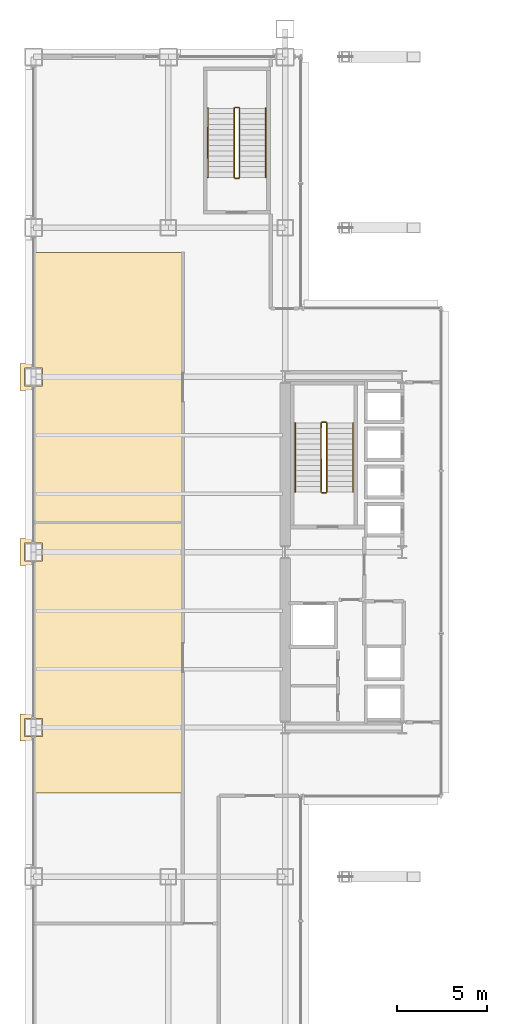
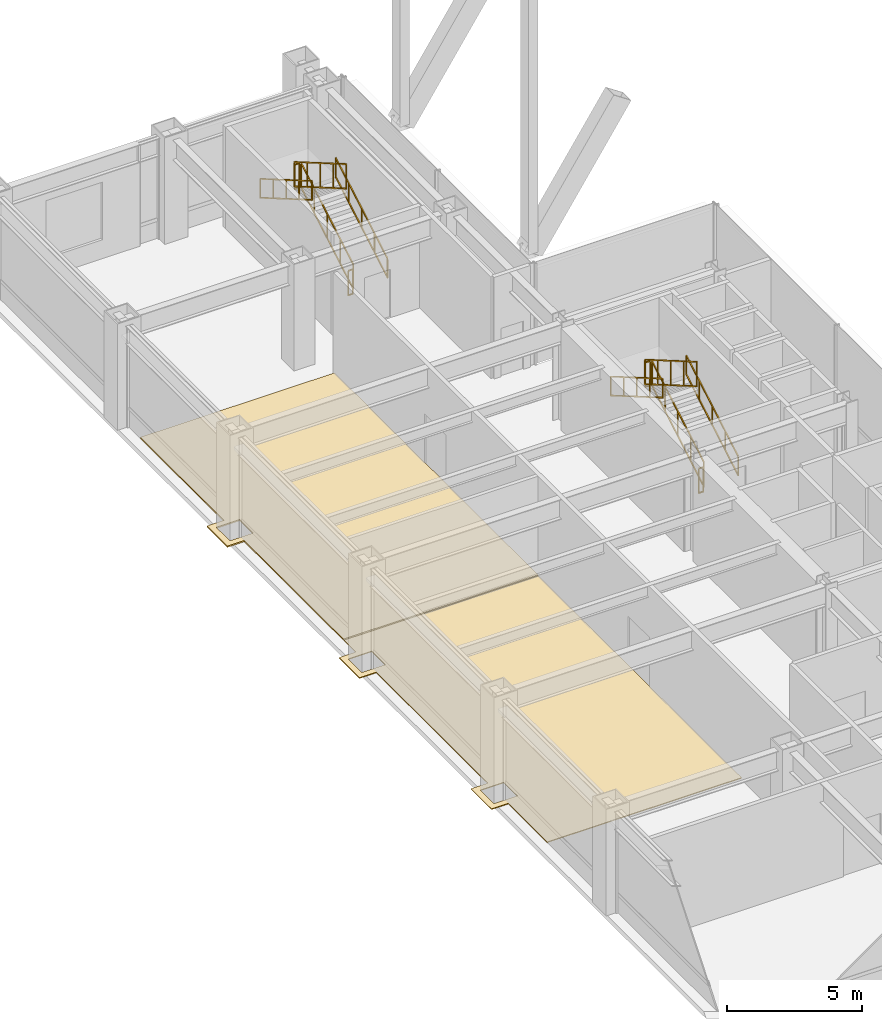
# One storey, part 39 of 40: 12 railings, 2 coverings.
"""IFC4 building model written with IfcOpenShell, lengths in metres."""

import ifcopenshell
import ifcopenshell.guid

model = None  # the IFC model being written
_history = None  # IfcOwnerHistory: only IFC2X3 demands one
_inside = {}  # id of a spatial element -> (the spatial element, [elements in it])
_under = {}  # id of a project, library or spatial element -> (it, [spatial elements below it])
_declared = {}  # id of a project -> (the project, [libraries it declares])
_typed = {}  # id of a type object -> (the type object, [elements of that type])
_made_of = {}  # id of a material, layer set ... -> (it, [elements and type objects made of it])


def new_model(schema):
    """Start an empty IFC model of exactly this schema.

    Asked for "IFC4X3", IfcOpenShell would pick the latest addendum, in which some entities
    have other attributes; the version numbers below select the first issue.
    IFC2X3 requires an IfcOwnerHistory on every rooted entity: one is made here for all.
    """
    global model, _history
    if schema == "IFC4X3":
        model = ifcopenshell.file(schema_version=(4, 3, 0, 0))
    else:
        model = ifcopenshell.file(schema=schema)
    _inside.clear()
    _under.clear()
    _declared.clear()
    _typed.clear()
    _made_of.clear()
    _history = None
    if model.schema == "IFC2X3":
        org = make("IfcOrganization", Name="unknown")
        user = make(
            "IfcPersonAndOrganization",
            ThePerson=make("IfcPerson", FamilyName="unknown"),
            TheOrganization=org,
        )
        app = make(
            "IfcApplication",
            ApplicationDeveloper=org,
            Version="unknown",
            ApplicationFullName="unknown",
            ApplicationIdentifier="unknown",
        )
        _history = make(
            "IfcOwnerHistory",
            OwningUser=user,
            OwningApplication=app,
            ChangeAction="ADDED",
            CreationDate=0,
        )
    return model


def make(cls, **values):
    """One entity of the class cls with the attributes given. An attribute that is None is left unset."""
    return model.create_entity(
        cls, **{name: value for name, value in values.items() if value is not None}
    )


def rooted(cls, **values):
    """An entity with a GlobalId (a new one), such as an element, a storey or a relation."""
    return make(cls, GlobalId=ifcopenshell.guid.new(), OwnerHistory=_history, **values)


def si_unit(unit_type, name, prefix=None):
    """IfcSIUnit, for example si_unit("LENGTHUNIT", "METRE", prefix="MILLI")."""
    return make("IfcSIUnit", UnitType=unit_type, Prefix=prefix, Name=name)


def assignment(units):
    """IfcUnitAssignment: the units of a project."""
    return None if units is None else make("IfcUnitAssignment", Units=units)


def point(xyz):
    """IfcCartesianPoint."""
    return None if xyz is None else make("IfcCartesianPoint", Coordinates=xyz)


def direction(xyz):
    """IfcDirection."""
    return None if xyz is None else make("IfcDirection", DirectionRatios=xyz)


def frame(location, z_axis=None, x_axis=None):
    """IfcAxis2Placement3D, a coordinate frame: its origin and axes. An axis left out is left unset."""
    return make(
        "IfcAxis2Placement3D",
        Location=point(location),
        Axis=direction(z_axis),
        RefDirection=direction(x_axis),
    )


def frame_2d(location, x_axis=None):
    """IfcAxis2Placement2D, a coordinate frame in the plane: its origin and x axis."""
    return make(
        "IfcAxis2Placement2D", Location=point(location), RefDirection=direction(x_axis)
    )


def origin():
    """The frame at (0, 0, 0) with its axes left unset."""
    return frame((0.0, 0.0, 0.0))


def origin_2d():
    """The frame at (0, 0) in the plane with its x axis left unset."""
    return frame_2d((0.0, 0.0))


def place(relative_to, where):
    """IfcLocalPlacement: puts the frame where relative to a parent placement (None: the world)."""
    return make(
        "IfcLocalPlacement", PlacementRelTo=relative_to, RelativePlacement=where
    )


def context(
    kind, dimensions, precision=None, world=None, true_north=None, identifier=None
):
    """IfcGeometricRepresentationContext, for example the 3D "Model" context."""
    return make(
        "IfcGeometricRepresentationContext",
        ContextIdentifier=identifier,
        ContextType=kind,
        CoordinateSpaceDimension=dimensions,
        Precision=precision,
        WorldCoordinateSystem=world,
        TrueNorth=true_north,
    )


def subcontext(parent, identifier, kind, view, scale=None):
    """IfcGeometricRepresentationSubContext, for example "Body" below "Model"."""
    return make(
        "IfcGeometricRepresentationSubContext",
        ContextIdentifier=identifier,
        ContextType=kind,
        ParentContext=parent,
        TargetScale=scale,
        TargetView=view,
    )


def project(units=None, contexts=None):
    """IfcProject with its units and contexts."""
    return rooted(
        "IfcProject",
        Name="project",
        RepresentationContexts=contexts,
        UnitsInContext=assignment(units),
    )


def spatial(cls, under=None, at=None, **own):
    """A site, building, storey or space (cls), placed at a placement, below another one or the project."""
    s = rooted(cls, ObjectPlacement=at, **own)
    if under is not None:
        _under.setdefault(under.id(), (under, []))[1].append(s)
    return s


def polyline(points):
    """IfcPolyline through the points."""
    return make("IfcPolyline", Points=[point(p) for p in points])


def profile(cls, at=None, kind="AREA", **sizes):
    """A parametric profile (cls). Its sizes go by their IFC names, for example OverallWidth=200.0."""
    return make(cls, ProfileType=kind, Position=at, **sizes)


def rectangle(**sizes):
    """IfcRectangleProfileDef."""
    return profile("IfcRectangleProfileDef", **sizes)


def outline(outer, holes=None, kind="AREA"):
    """IfcArbitraryClosedProfileDef: a profile drawn as a closed curve; with holes, ...WithVoids."""
    if holes is None:
        return make("IfcArbitraryClosedProfileDef", ProfileType=kind, OuterCurve=outer)
    return make(
        "IfcArbitraryProfileDefWithVoids",
        ProfileType=kind,
        OuterCurve=outer,
        InnerCurves=holes,
    )


def extrude(swept, where, along, depth):
    """IfcExtrudedAreaSolid: the profile swept, set in the frame where, extruded along a direction by depth."""
    return make(
        "IfcExtrudedAreaSolid",
        SweptArea=swept,
        Position=where,
        ExtrudedDirection=direction(along),
        Depth=depth,
    )


def shape(context_of_items, identifier, shape_type, items):
    """IfcShapeRepresentation: the items that make up one representation, for example the "Body"."""
    return make(
        "IfcShapeRepresentation",
        ContextOfItems=context_of_items,
        RepresentationIdentifier=identifier,
        RepresentationType=shape_type,
        Items=items,
    )


def material(Name=None, Category=None):
    """IfcMaterial."""
    return make("IfcMaterial", Name=Name, Category=Category)


def layer(
    of_material, thickness, ventilated=None, Name=None, Category=None, Priority=None
):
    """IfcMaterialLayer: one layer of a wall or slab, of a material (None: an air gap)."""
    return make(
        "IfcMaterialLayer",
        Material=of_material,
        LayerThickness=thickness,
        IsVentilated=ventilated,
        Name=Name,
        Category=Category,
        Priority=Priority,
    )


def layer_set(layers, Name=None):
    """IfcMaterialLayerSet."""
    return make("IfcMaterialLayerSet", MaterialLayers=layers, LayerSetName=Name)


def made_of(thing, what):
    """Note that an element or type object is made of a material, layer set ...; save() writes the relation."""
    if what is not None:
        _made_of.setdefault(what.id(), (what, []))[1].append(thing)
    return thing


def type_object(cls, material=None, **own):
    """A type object (cls), such as IfcWallType, which elements share."""
    return made_of(rooted(cls, **own), material)


def element(
    cls,
    number,
    at=None,
    inside=None,
    cuts=None,
    type_object=None,
    material=None,
    context=None,
    identifier="Body",
    shape_type=None,
    held_by="IfcProductDefinitionShape",
    body=None,
    shapes=None,
    **own,
):
    """One element of the class cls, such as IfcWall. Its Tag is "e" and its number.

    at: its placement. inside: the storey or other place that contains it. cuts: it is an
    opening in that element (IfcRelVoidsElement). A single representation is given by context,
    identifier, shape_type and body (its items); several are given by shapes. held_by: the class
    of the entity that holds the representations. save() writes the other relations.
    """
    e = rooted(cls, Tag="e%d" % number, ObjectPlacement=at, **own)
    if body is not None:
        shapes = [shape(context, identifier, shape_type, body)]
    if shapes is not None:
        e.Representation = make(held_by, Representations=shapes)
    if inside is not None:
        _inside.setdefault(inside.id(), (inside, []))[1].append(e)
    if cuts is not None:
        rooted(
            "IfcRelVoidsElement", RelatingBuildingElement=cuts, RelatedOpeningElement=e
        )
    if type_object is not None:
        _typed.setdefault(type_object.id(), (type_object, []))[1].append(e)
    return made_of(e, material)


def aggregate(whole, parts):
    """IfcRelAggregates: a whole, such as a stair, and the parts it consists of."""
    return rooted("IfcRelAggregates", RelatingObject=whole, RelatedObjects=parts)


def save(model, path):
    """Write the relations noted so far, then the file.

    IfcRelAggregates (storeys below a building ...), IfcRelContainedInSpatialStructure (elements
    in a storey), IfcRelDefinesByType, IfcRelAssociatesMaterial and IfcRelDeclares: one each for
    every whole, place, type object, material and project.
    """
    for whole, parts in _under.values():
        aggregate(whole, parts)
    for where, things in _inside.values():
        rooted(
            "IfcRelContainedInSpatialStructure",
            RelatedElements=things,
            RelatingStructure=where,
        )
    for kind, things in _typed.values():
        rooted("IfcRelDefinesByType", RelatedObjects=things, RelatingType=kind)
    for what, things in _made_of.values():
        rooted("IfcRelAssociatesMaterial", RelatedObjects=things, RelatingMaterial=what)
    for by, libraries in _declared.values():
        rooted("IfcRelDeclares", RelatingContext=by, RelatedDefinitions=libraries)
    model.write(path)


model = new_model("IFC4")

# Units and contexts
model_context = context("Model", 3, precision=1e-05, world=origin(), true_north=direction((0.0, 1.0)))
body_context = subcontext(model_context, "Body", "Model", "MODEL_VIEW")
ifc_project = project(units=[si_unit("LENGTHUNIT", "METRE"), si_unit("AREAUNIT", "SQUARE_METRE"), si_unit("VOLUMEUNIT", "CUBIC_METRE"), si_unit("PLANEANGLEUNIT", "RADIAN"), si_unit("MASSUNIT", "GRAM", prefix="KILO")], contexts=[model_context])

# Site, building, storey
site_placement = place(None, origin())
site = spatial("IfcSite", under=ifc_project, at=site_placement, CompositionType="ELEMENT")
building_placement = place(site_placement, origin())
building = spatial("IfcBuilding", under=site, at=building_placement, Name="Brelmoor Portico Tower", CompositionType="ELEMENT")
storey_placement = place(building_placement, frame((0.0, 0.0, 4.800048828125)))
storey = spatial("IfcBuildingStorey", under=building, at=storey_placement, Name="L01", CompositionType="ELEMENT", Elevation=4.800048828125)

# Coverings
ifc_material_1 = material(Name="Calcium-Sulphate Raised Access Floor Panel", Category="steel")
ifc_layer_1 = layer(ifc_material_1, 0.06005859375)
ifc_layer_set_1 = layer_set([ifc_layer_1], Name="Calcium-Sulphate Raised Access Floor Panel")
covering_type_1 = type_object("IfcCoveringType", Name="CV-FLR-ACCESS-60", PredefinedType="FLOORING", material=ifc_layer_set_1)
covering_1_placement = place(storey_placement, origin())
element("IfcCovering", 1, at=covering_1_placement, inside=storey, type_object=covering_type_1, Name="L01 Architectural Floor Finish 02", PredefinedType="FLOORING", context=body_context, shape_type="SweptSolid", body=[
    extrude(outline(polyline([(-28.580078125, 9.0), (-29.300048828125, 9.0), (-29.300048828125, 10.5), (-28.580078125, 10.5), (-28.580078125, 16.679931640625), (-20.2900390625, 16.679931640625), (-20.2900390625, 1.669921875), (-28.580078125, 1.669921875), (-28.580078125, 9.0)]), holes=[polyline([(-29.050048828125, 9.25), (-28.050048828125, 9.25), (-28.050048828125, 10.25), (-29.050048828125, 10.25), (-29.050048828125, 9.25)])]), origin(), (0.0, 0.0, 1.0), 0.06005859375),
])
ifc_material_2 = material(Name="Honed Pearl-Grey Granite Paver Finish", Category="masonry")
ifc_layer_2 = layer(ifc_material_2, 0.0380859375)
ifc_layer_set_2 = layer_set([ifc_layer_2], Name="Honed Pearl-Grey Granite Paver Finish")
covering_type_2 = type_object("IfcCoveringType", Name="CV-FLR-GRANITE-38", PredefinedType="FLOORING", material=ifc_layer_set_2)
covering_2_placement = place(storey_placement, origin())
element("IfcCovering", 2, at=covering_2_placement, inside=storey, type_object=covering_type_2, Name="L01 Architectural Floor Finish 01", PredefinedType="FLOORING", context=body_context, shape_type="SweptSolid", body=[
    extrude(outline(polyline([(-29.300048828125, -9.0), (-28.580078125, -9.0), (-28.580078125, -0.75), (-29.300048828125, -0.75), (-29.300048828125, 0.75), (-28.580078125, 0.75), (-28.580078125, 1.6298828125), (-20.2900390625, 1.6298828125), (-20.2900390625, -13.3798828125), (-28.580078125, -13.3798828125), (-28.580078125, -10.5), (-29.300048828125, -10.5), (-29.300048828125, -9.0)]), holes=[polyline([(-29.050048828125, -10.25), (-28.050048828125, -10.25), (-28.050048828125, -9.25), (-29.050048828125, -9.25), (-29.050048828125, -10.25)]), polyline([(-28.050048828125, -0.5), (-28.050048828125, 0.5), (-29.050048828125, 0.5), (-29.050048828125, -0.5), (-28.050048828125, -0.5)])]), origin(), (0.0, 0.0, 1.0), 0.037841796875),
])

# Railings
ifc_material_3 = material(Name="Painted Tubular Steel Q235B", Category="steel")
railing_type_1 = type_object("IfcRailingType", Name="RL-STAIR-GUARD", PredefinedType="GUARDRAIL", material=ifc_material_3)
railing_1_placement = place(storey_placement, frame((-12.239990234375, 3.35009765625, 0.17138671875)))
element("IfcRailing", 3, at=railing_1_placement, inside=storey, type_object=railing_type_1, Name="L01 ST-W stair guard 1", PredefinedType="GUARDRAIL", context=body_context, shape_type="SweptSolid", body=[
    extrude(rectangle(XDim=0.048095703125, YDim=0.048095703125, at=origin_2d()), frame((0.0, 0.0, 1.1259765625), z_axis=(0.0, 0.86461618451, 0.502432934314), x_axis=(-1.0, 0.0, 0.0)), (0.0, 0.0, 1.0), 4.435546875),
    extrude(rectangle(XDim=0.048095703125, YDim=0.048095703125, at=origin_2d()), frame((0.0, 0.0, 0.02392578125), z_axis=(0.0, 0.86461618451, 0.502432934314), x_axis=(-1.0, 0.0, 0.0)), (0.0, 0.0, 1.0), 4.435546875),
    extrude(rectangle(XDim=0.0419921875, YDim=0.0419921875, at=origin_2d()), origin(), (0.0, 0.0, 1.0), 1.101806640625),
    extrude(rectangle(XDim=0.0419921875, YDim=0.0419921875, at=origin_2d()), frame((0.0, 0.958740234375, 0.55712890625)), (0.0, 0.0, 1.0), 1.101806640625),
    extrude(rectangle(XDim=0.0419921875, YDim=0.0419921875, at=origin_2d()), frame((0.0, 1.91748046875, 1.1142578125)), (0.0, 0.0, 1.0), 1.101806640625),
    extrude(rectangle(XDim=0.0419921875, YDim=0.0419921875, at=origin_2d()), frame((0.0, 2.876220703125, 1.67138671875)), (0.0, 0.0, 1.0), 1.101806640625),
    extrude(rectangle(XDim=0.0419921875, YDim=0.0419921875, at=origin_2d()), frame((0.0, 3.8349609375, 2.228515625)), (0.0, 0.0, 1.0), 1.101806640625),
])
railing_2_placement = place(storey_placement, frame((-12.2900390625, 7.235107421875, 2.39990234375)))
element("IfcRailing", 4, at=railing_2_placement, inside=storey, type_object=railing_type_1, Name="L01 ST-W stair guard 2", PredefinedType="GUARDRAIL", context=body_context, shape_type="SweptSolid", body=[
    extrude(rectangle(XDim=0.048095703125, YDim=0.048095703125, at=origin_2d()), frame((0.0, 0.0, 1.1259765625), z_axis=(-1.0, 0.0, 0.0), x_axis=(0.0, -1.0, 0.0)), (0.0, 0.0, 1.0), 0.199951171875),
    extrude(rectangle(XDim=0.048095703125, YDim=0.048095703125, at=origin_2d()), frame((0.0, 0.0, 0.02392578125), z_axis=(-1.0, 0.0, 0.0), x_axis=(0.0, -1.0, 0.0)), (0.0, 0.0, 1.0), 0.199951171875),
    extrude(rectangle(XDim=0.0419921875, YDim=0.0419921875, at=origin_2d()), origin(), (0.0, 0.0, 1.0), 1.101806640625),
    extrude(rectangle(XDim=0.0419921875, YDim=0.0419921875, at=origin_2d()), frame((-0.199951171875, 0.0, 0.0)), (0.0, 0.0, 1.0), 1.101806640625),
])
railing_3_placement = place(storey_placement, frame((-12.5400390625, 7.18505859375, 2.5712890625)))
element("IfcRailing", 5, at=railing_3_placement, inside=storey, type_object=railing_type_1, Name="L01 ST-W stair guard 3", PredefinedType="GUARDRAIL", context=body_context, shape_type="SweptSolid", body=[
    extrude(rectangle(XDim=0.048095703125, YDim=0.048095703125, at=origin_2d()), frame((0.0, 0.0, 1.1259765625), z_axis=(0.0, -0.864592272851, 0.502474080651), x_axis=(1.0, 0.0, 0.0)), (0.0, 0.0, 1.0), 4.435546875),
    extrude(rectangle(XDim=0.048095703125, YDim=0.048095703125, at=origin_2d()), frame((0.0, 0.0, 0.02392578125), z_axis=(0.0, -0.864592272851, 0.502474080651), x_axis=(1.0, 0.0, 0.0)), (0.0, 0.0, 1.0), 4.435546875),
    extrude(rectangle(XDim=0.0419921875, YDim=0.0419921875, at=origin_2d()), origin(), (0.0, 0.0, 1.0), 1.101806640625),
    extrude(rectangle(XDim=0.0419921875, YDim=0.0419921875, at=origin_2d()), frame((0.0, -0.958740234375, 0.55712890625)), (0.0, 0.0, 1.0), 1.101806640625),
    extrude(rectangle(XDim=0.0419921875, YDim=0.0419921875, at=origin_2d()), frame((0.0, -1.91748046875, 1.1142578125)), (0.0, 0.0, 1.0), 1.101806640625),
    extrude(rectangle(XDim=0.0419921875, YDim=0.0419921875, at=origin_2d()), frame((0.0, -2.876220703125, 1.671630859375)), (0.0, 0.0, 1.0), 1.101806640625),
    extrude(rectangle(XDim=0.0419921875, YDim=0.0419921875, at=origin_2d()), frame((0.0, -3.8349609375, 2.228759765625)), (0.0, 0.0, 1.0), 1.101806640625),
])
railing_4_placement = place(storey_placement, frame((-12.2900390625, 3.300048828125, 0.0)))
element("IfcRailing", 6, at=railing_4_placement, inside=storey, type_object=railing_type_1, Name="L01 ST-W stair guard 4", PredefinedType="GUARDRAIL", context=body_context, shape_type="SweptSolid", body=[
    extrude(rectangle(XDim=0.048095703125, YDim=0.048095703125, at=origin_2d()), frame((0.0, 0.0, 1.1259765625), z_axis=(-1.0, 0.0, 0.0), x_axis=(0.0, -1.0, 0.0)), (0.0, 0.0, 1.0), 0.199951171875),
    extrude(rectangle(XDim=0.048095703125, YDim=0.048095703125, at=origin_2d()), frame((0.0, 0.0, 0.02392578125), z_axis=(-1.0, 0.0, 0.0), x_axis=(0.0, -1.0, 0.0)), (0.0, 0.0, 1.0), 0.199951171875),
    extrude(rectangle(XDim=0.0419921875, YDim=0.0419921875, at=origin_2d()), origin(), (0.0, 0.0, 1.0), 1.101806640625),
    extrude(rectangle(XDim=0.0419921875, YDim=0.0419921875, at=origin_2d()), frame((-0.199951171875, 0.0, 0.0)), (0.0, 0.0, 1.0), 1.101806640625),
])
railing_5_placement = place(storey_placement, frame((-17.090087890625, 20.85009765625, 0.17138671875)))
element("IfcRailing", 7, at=railing_5_placement, inside=storey, type_object=railing_type_1, Name="L01 ST-P1 stair guard 1", PredefinedType="GUARDRAIL", context=body_context, shape_type="SweptSolid", body=[
    extrude(rectangle(XDim=0.048095703125, YDim=0.048095703125, at=origin_2d()), frame((0.0, 0.0, 1.1259765625), z_axis=(0.0, 0.86461618451, 0.502432934314), x_axis=(-1.0, 0.0, 0.0)), (0.0, 0.0, 1.0), 4.435546875),
    extrude(rectangle(XDim=0.048095703125, YDim=0.048095703125, at=origin_2d()), frame((0.0, 0.0, 0.02392578125), z_axis=(0.0, 0.86461618451, 0.502432934314), x_axis=(-1.0, 0.0, 0.0)), (0.0, 0.0, 1.0), 4.435546875),
    extrude(rectangle(XDim=0.0419921875, YDim=0.0419921875, at=origin_2d()), origin(), (0.0, 0.0, 1.0), 1.101806640625),
    extrude(rectangle(XDim=0.0419921875, YDim=0.0419921875, at=origin_2d()), frame((0.0, 0.958740234375, 0.55712890625)), (0.0, 0.0, 1.0), 1.101806640625),
    extrude(rectangle(XDim=0.0419921875, YDim=0.0419921875, at=origin_2d()), frame((0.0, 1.91748046875, 1.1142578125)), (0.0, 0.0, 1.0), 1.101806640625),
    extrude(rectangle(XDim=0.0419921875, YDim=0.0419921875, at=origin_2d()), frame((0.0, 2.876220703125, 1.67138671875)), (0.0, 0.0, 1.0), 1.101806640625),
    extrude(rectangle(XDim=0.0419921875, YDim=0.0419921875, at=origin_2d()), frame((0.0, 3.8349609375, 2.228515625)), (0.0, 0.0, 1.0), 1.101806640625),
])
railing_6_placement = place(storey_placement, frame((-17.139892578125, 24.735107421875, 2.39990234375)))
element("IfcRailing", 8, at=railing_6_placement, inside=storey, type_object=railing_type_1, Name="L01 ST-P1 stair guard 2", PredefinedType="GUARDRAIL", context=body_context, shape_type="SweptSolid", body=[
    extrude(rectangle(XDim=0.048095703125, YDim=0.048095703125, at=origin_2d()), frame((0.0, 0.0, 1.1259765625), z_axis=(-1.0, 0.0, 0.0), x_axis=(0.0, -1.0, 0.0)), (0.0, 0.0, 1.0), 0.2001953125),
    extrude(rectangle(XDim=0.048095703125, YDim=0.048095703125, at=origin_2d()), frame((0.0, 0.0, 0.02392578125), z_axis=(-1.0, 0.0, 0.0), x_axis=(0.0, -1.0, 0.0)), (0.0, 0.0, 1.0), 0.2001953125),
    extrude(rectangle(XDim=0.0419921875, YDim=0.0419921875, at=origin_2d()), origin(), (0.0, 0.0, 1.0), 1.101806640625),
    extrude(rectangle(XDim=0.0419921875, YDim=0.0419921875, at=origin_2d()), frame((-0.2001953125, 0.0, 0.0)), (0.0, 0.0, 1.0), 1.101806640625),
])
railing_7_placement = place(storey_placement, frame((-17.389892578125, 24.68505859375, 2.5712890625)))
element("IfcRailing", 9, at=railing_7_placement, inside=storey, type_object=railing_type_1, Name="L01 ST-P1 stair guard 3", PredefinedType="GUARDRAIL", context=body_context, shape_type="SweptSolid", body=[
    extrude(rectangle(XDim=0.048095703125, YDim=0.048095703125, at=origin_2d()), frame((0.0, 0.0, 1.1259765625), z_axis=(0.0, -0.864592272851, 0.502474080651), x_axis=(1.0, 0.0, 0.0)), (0.0, 0.0, 1.0), 4.435546875),
    extrude(rectangle(XDim=0.048095703125, YDim=0.048095703125, at=origin_2d()), frame((0.0, 0.0, 0.02392578125), z_axis=(0.0, -0.864592272851, 0.502474080651), x_axis=(1.0, 0.0, 0.0)), (0.0, 0.0, 1.0), 4.435546875),
    extrude(rectangle(XDim=0.0419921875, YDim=0.0419921875, at=origin_2d()), origin(), (0.0, 0.0, 1.0), 1.101806640625),
    extrude(rectangle(XDim=0.0419921875, YDim=0.0419921875, at=origin_2d()), frame((0.0, -0.958740234375, 0.55712890625)), (0.0, 0.0, 1.0), 1.101806640625),
    extrude(rectangle(XDim=0.0419921875, YDim=0.0419921875, at=origin_2d()), frame((0.0, -1.91748046875, 1.1142578125)), (0.0, 0.0, 1.0), 1.101806640625),
    extrude(rectangle(XDim=0.0419921875, YDim=0.0419921875, at=origin_2d()), frame((0.0, -2.876220703125, 1.671630859375)), (0.0, 0.0, 1.0), 1.101806640625),
    extrude(rectangle(XDim=0.0419921875, YDim=0.0419921875, at=origin_2d()), frame((0.0, -3.8349609375, 2.228759765625)), (0.0, 0.0, 1.0), 1.101806640625),
])
railing_8_placement = place(storey_placement, frame((-17.139892578125, 20.800048828125, 0.0)))
element("IfcRailing", 10, at=railing_8_placement, inside=storey, type_object=railing_type_1, Name="L01 ST-P1 stair guard 4", PredefinedType="GUARDRAIL", context=body_context, shape_type="SweptSolid", body=[
    extrude(rectangle(XDim=0.048095703125, YDim=0.048095703125, at=origin_2d()), frame((0.0, 0.0, 1.1259765625), z_axis=(-1.0, 0.0, 0.0), x_axis=(0.0, -1.0, 0.0)), (0.0, 0.0, 1.0), 0.2001953125),
    extrude(rectangle(XDim=0.048095703125, YDim=0.048095703125, at=origin_2d()), frame((0.0, 0.0, 0.02392578125), z_axis=(-1.0, 0.0, 0.0), x_axis=(0.0, -1.0, 0.0)), (0.0, 0.0, 1.0), 0.2001953125),
    extrude(rectangle(XDim=0.0419921875, YDim=0.0419921875, at=origin_2d()), origin(), (0.0, 0.0, 1.0), 1.101806640625),
    extrude(rectangle(XDim=0.0419921875, YDim=0.0419921875, at=origin_2d()), frame((-0.2001953125, 0.0, 0.0)), (0.0, 0.0, 1.0), 1.101806640625),
])
ifc_material_4 = material(Name="Brushed Stainless Steel 304", Category="steel")
railing_type_2 = type_object("IfcRailingType", Name="RL-STAIR-HANDRAIL", PredefinedType="HANDRAIL", material=ifc_material_4)
railing_9_placement = place(storey_placement, frame((-10.780029296875, 3.35009765625, 0.17138671875)))
element("IfcRailing", 11, at=railing_9_placement, inside=storey, type_object=railing_type_2, Name="L01 ST-W stair handrail 1", PredefinedType="HANDRAIL", context=body_context, shape_type="SweptSolid", body=[
    extrude(rectangle(XDim=0.048095703125, YDim=0.048095703125, at=origin_2d()), frame((0.0, 0.0, 0.8759765625), z_axis=(0.0, 0.86461618451, 0.502432934314), x_axis=(-1.0, 0.0, 0.0)), (0.0, 0.0, 1.0), 4.435546875),
    extrude(rectangle(XDim=0.048095703125, YDim=0.048095703125, at=origin_2d()), frame((0.0, 0.0, 0.02392578125), z_axis=(0.0, 0.86461618451, 0.502432934314), x_axis=(-1.0, 0.0, 0.0)), (0.0, 0.0, 1.0), 4.435546875),
    extrude(rectangle(XDim=0.0419921875, YDim=0.0419921875, at=origin_2d()), origin(), (0.0, 0.0, 1.0), 0.851806640625),
    extrude(rectangle(XDim=0.0419921875, YDim=0.0419921875, at=origin_2d()), frame((0.0, 0.958740234375, 0.55712890625)), (0.0, 0.0, 1.0), 0.851806640625),
    extrude(rectangle(XDim=0.0419921875, YDim=0.0419921875, at=origin_2d()), frame((0.0, 1.91748046875, 1.1142578125)), (0.0, 0.0, 1.0), 0.851806640625),
    extrude(rectangle(XDim=0.0419921875, YDim=0.0419921875, at=origin_2d()), frame((0.0, 2.876220703125, 1.67138671875)), (0.0, 0.0, 1.0), 0.851806640625),
    extrude(rectangle(XDim=0.0419921875, YDim=0.0419921875, at=origin_2d()), frame((0.0, 3.8349609375, 2.228515625)), (0.0, 0.0, 1.0), 0.851806640625),
])
railing_10_placement = place(storey_placement, frame((-14.0, 7.18505859375, 2.5712890625)))
element("IfcRailing", 12, at=railing_10_placement, inside=storey, type_object=railing_type_2, Name="L01 ST-W stair handrail 2", PredefinedType="HANDRAIL", context=body_context, shape_type="SweptSolid", body=[
    extrude(rectangle(XDim=0.048095703125, YDim=0.048095703125, at=origin_2d()), frame((0.0, 0.0, 0.8759765625), z_axis=(0.0, -0.864592272851, 0.502474080651), x_axis=(1.0, 0.0, 0.0)), (0.0, 0.0, 1.0), 4.435546875),
    extrude(rectangle(XDim=0.048095703125, YDim=0.048095703125, at=origin_2d()), frame((0.0, 0.0, 0.02392578125), z_axis=(0.0, -0.864592272851, 0.502474080651), x_axis=(1.0, 0.0, 0.0)), (0.0, 0.0, 1.0), 4.435546875),
    extrude(rectangle(XDim=0.0419921875, YDim=0.0419921875, at=origin_2d()), origin(), (0.0, 0.0, 1.0), 0.851806640625),
    extrude(rectangle(XDim=0.0419921875, YDim=0.0419921875, at=origin_2d()), frame((0.0, -0.958740234375, 0.55712890625)), (0.0, 0.0, 1.0), 0.851806640625),
    extrude(rectangle(XDim=0.0419921875, YDim=0.0419921875, at=origin_2d()), frame((0.0, -1.91748046875, 1.1142578125)), (0.0, 0.0, 1.0), 0.851806640625),
    extrude(rectangle(XDim=0.0419921875, YDim=0.0419921875, at=origin_2d()), frame((0.0, -2.876220703125, 1.671630859375)), (0.0, 0.0, 1.0), 0.851806640625),
    extrude(rectangle(XDim=0.0419921875, YDim=0.0419921875, at=origin_2d()), frame((0.0, -3.8349609375, 2.228759765625)), (0.0, 0.0, 1.0), 0.851806640625),
])
railing_11_placement = place(storey_placement, frame((-15.6298828125, 20.85009765625, 0.17138671875)))
element("IfcRailing", 13, at=railing_11_placement, inside=storey, type_object=railing_type_2, Name="L01 ST-P1 stair handrail 1", PredefinedType="HANDRAIL", context=body_context, shape_type="SweptSolid", body=[
    extrude(rectangle(XDim=0.048095703125, YDim=0.048095703125, at=origin_2d()), frame((0.0, 0.0, 0.8759765625), z_axis=(0.0, 0.86461618451, 0.502432934314), x_axis=(-1.0, 0.0, 0.0)), (0.0, 0.0, 1.0), 4.435546875),
    extrude(rectangle(XDim=0.048095703125, YDim=0.048095703125, at=origin_2d()), frame((0.0, 0.0, 0.02392578125), z_axis=(0.0, 0.86461618451, 0.502432934314), x_axis=(-1.0, 0.0, 0.0)), (0.0, 0.0, 1.0), 4.435546875),
    extrude(rectangle(XDim=0.0419921875, YDim=0.0419921875, at=origin_2d()), origin(), (0.0, 0.0, 1.0), 0.851806640625),
    extrude(rectangle(XDim=0.0419921875, YDim=0.0419921875, at=origin_2d()), frame((0.0, 0.958740234375, 0.55712890625)), (0.0, 0.0, 1.0), 0.851806640625),
    extrude(rectangle(XDim=0.0419921875, YDim=0.0419921875, at=origin_2d()), frame((0.0, 1.91748046875, 1.1142578125)), (0.0, 0.0, 1.0), 0.851806640625),
    extrude(rectangle(XDim=0.0419921875, YDim=0.0419921875, at=origin_2d()), frame((0.0, 2.876220703125, 1.67138671875)), (0.0, 0.0, 1.0), 0.851806640625),
    extrude(rectangle(XDim=0.0419921875, YDim=0.0419921875, at=origin_2d()), frame((0.0, 3.8349609375, 2.228515625)), (0.0, 0.0, 1.0), 0.851806640625),
])
railing_12_placement = place(storey_placement, frame((-18.85009765625, 24.68505859375, 2.5712890625)))
element("IfcRailing", 14, at=railing_12_placement, inside=storey, type_object=railing_type_2, Name="L01 ST-P1 stair handrail 2", PredefinedType="HANDRAIL", context=body_context, shape_type="SweptSolid", body=[
    extrude(rectangle(XDim=0.048095703125, YDim=0.048095703125, at=origin_2d()), frame((0.0, 0.0, 0.8759765625), z_axis=(0.0, -0.864592272851, 0.502474080651), x_axis=(1.0, 0.0, 0.0)), (0.0, 0.0, 1.0), 4.435546875),
    extrude(rectangle(XDim=0.048095703125, YDim=0.048095703125, at=origin_2d()), frame((0.0, 0.0, 0.02392578125), z_axis=(0.0, -0.864592272851, 0.502474080651), x_axis=(1.0, 0.0, 0.0)), (0.0, 0.0, 1.0), 4.435546875),
    extrude(rectangle(XDim=0.0419921875, YDim=0.0419921875, at=origin_2d()), origin(), (0.0, 0.0, 1.0), 0.851806640625),
    extrude(rectangle(XDim=0.0419921875, YDim=0.0419921875, at=origin_2d()), frame((0.0, -0.958740234375, 0.55712890625)), (0.0, 0.0, 1.0), 0.851806640625),
    extrude(rectangle(XDim=0.0419921875, YDim=0.0419921875, at=origin_2d()), frame((0.0, -1.91748046875, 1.1142578125)), (0.0, 0.0, 1.0), 0.851806640625),
    extrude(rectangle(XDim=0.0419921875, YDim=0.0419921875, at=origin_2d()), frame((0.0, -2.876220703125, 1.671630859375)), (0.0, 0.0, 1.0), 0.851806640625),
    extrude(rectangle(XDim=0.0419921875, YDim=0.0419921875, at=origin_2d()), frame((0.0, -3.8349609375, 2.228759765625)), (0.0, 0.0, 1.0), 0.851806640625),
])

save(model, "model.ifc")
